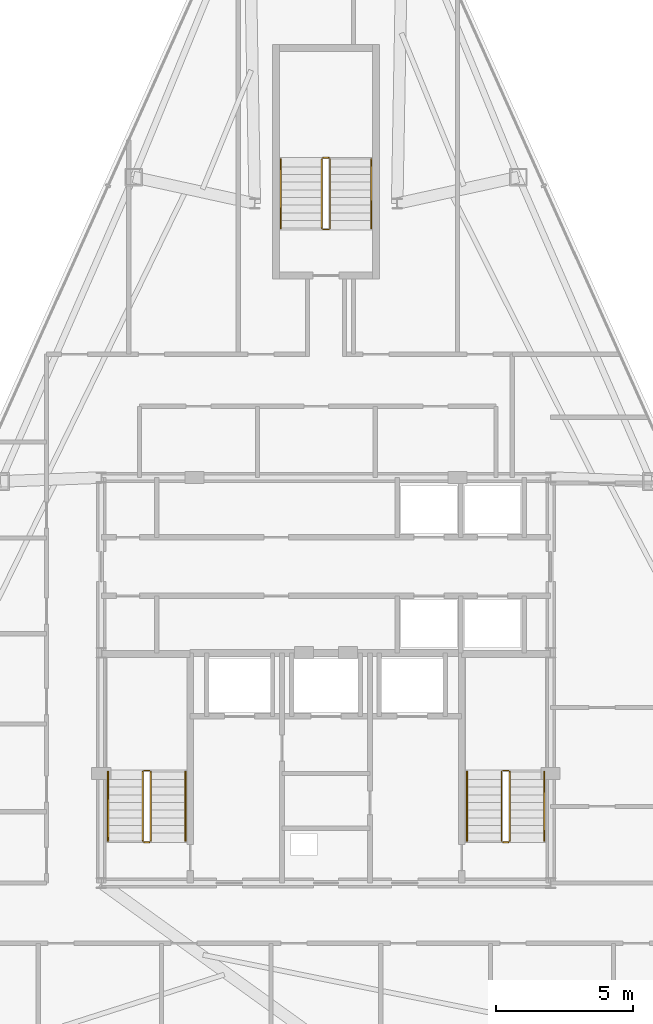
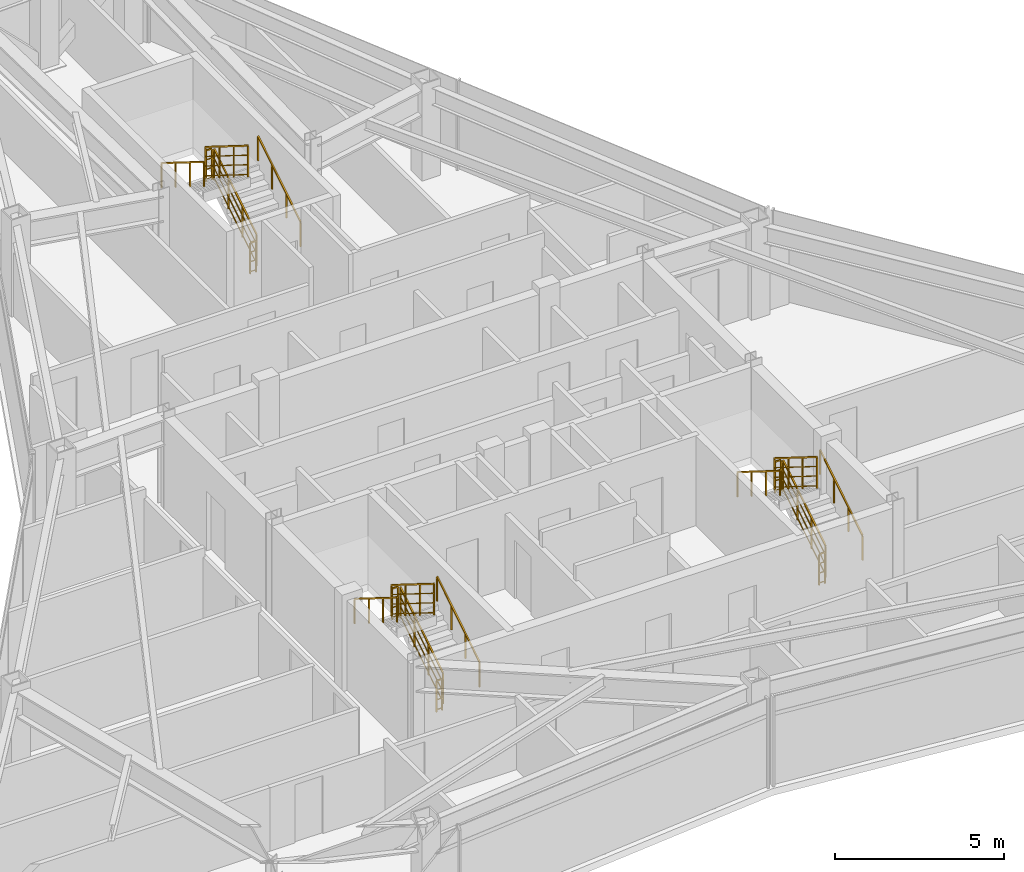
# One storey, part 12 of 12: 18 railings.
"""IFC4 building model written with IfcOpenShell, lengths in metres."""

from ifc_helpers import new_model, si_unit, direction, frame, origin, origin_2d, place, context, subcontext, project, spatial, rectangle, extrude, material, type_object, element, save


model = new_model("IFC4")

# Units and contexts
model_context = context("Model", 3, precision=1e-05, world=origin(), true_north=direction((0.0, 1.0)))
body_context = subcontext(model_context, "Body", "Model", "MODEL_VIEW")
ifc_project = project(units=[si_unit("LENGTHUNIT", "METRE"), si_unit("AREAUNIT", "SQUARE_METRE"), si_unit("VOLUMEUNIT", "CUBIC_METRE"), si_unit("PLANEANGLEUNIT", "RADIAN"), si_unit("MASSUNIT", "GRAM", prefix="KILO")], contexts=[model_context])

# Site, building, storey
site_placement = place(None, origin())
site = spatial("IfcSite", under=ifc_project, at=site_placement, CompositionType="ELEMENT")
building_placement = place(site_placement, origin())
building = spatial("IfcBuilding", under=site, at=building_placement, Name="Varakhsha Concourse Tower", CompositionType="ELEMENT")
storey_placement = place(building_placement, frame((0.0, 0.0, 258.5)))
storey = spatial("IfcBuildingStorey", under=building, at=storey_placement, Name="L73", CompositionType="ELEMENT", Elevation=258.5)

# Railings
ifc_material = material(Name="Brushed Austenitic Stainless Steel AISI 316", Category="steel")
railing_type_1 = type_object("IfcRailingType", Name="RL-STAIR-GUARD-1100", PredefinedType="GUARDRAIL", material=ifc_material)
railing_1_placement = place(storey_placement, frame((33.610107421875, 17.93994140625, 0.175048828125)))
element("IfcRailing", 1, at=railing_1_placement, inside=storey, type_object=railing_type_1, Name="L73 ST1 stair guard 1", PredefinedType="GUARDRAIL", context=body_context, shape_type="SweptSolid", body=[
    extrude(rectangle(XDim=0.048095703125, YDim=0.048095703125, at=origin_2d()), frame((0.0, 0.0, 1.1259765625), z_axis=(0.0, 0.848007534815, 0.529984170421), x_axis=(-1.0, 0.0, 0.0)), (0.0, 0.0, 1.0), 2.9716796875),
    extrude(rectangle(XDim=0.028076171875, YDim=0.028076171875, at=origin_2d()), frame((0.0, 0.0, 0.080078125), z_axis=(0.0, 0.848007534815, 0.529984170421), x_axis=(-1.0, 0.0, 0.0)), (0.0, 0.0, 1.0), 2.9716796875),
    extrude(rectangle(XDim=0.028076171875, YDim=0.028076171875, at=origin_2d()), frame((0.0, 0.0, 0.43701171875), z_axis=(0.0, 0.848007534815, 0.529984170421), x_axis=(-1.0, 0.0, 0.0)), (0.0, 0.0, 1.0), 2.9716796875),
    extrude(rectangle(XDim=0.028076171875, YDim=0.028076171875, at=origin_2d()), frame((0.0, 0.0, 0.781982421875), z_axis=(0.0, 0.848007534815, 0.529984170421), x_axis=(-1.0, 0.0, 0.0)), (0.0, 0.0, 1.0), 2.9716796875),
    extrude(rectangle(XDim=0.0419921875, YDim=0.0419921875, at=origin_2d()), origin(), (0.0, 0.0, 1.0), 1.101806640625),
    extrude(rectangle(XDim=0.0419921875, YDim=0.0419921875, at=origin_2d()), frame((0.0, 0.840087890625, 0.52490234375)), (0.0, 0.0, 1.0), 1.101806640625),
    extrude(rectangle(XDim=0.0419921875, YDim=0.0419921875, at=origin_2d()), frame((0.0, 1.679931640625, 1.050048828125)), (0.0, 0.0, 1.0), 1.101806640625),
    extrude(rectangle(XDim=0.0419921875, YDim=0.0419921875, at=origin_2d()), frame((0.0, 2.52001953125, 1.574951171875)), (0.0, 0.0, 1.0), 1.101806640625),
])
railing_2_placement = place(storey_placement, frame((33.56005859375, 20.510009765625, 1.75)))
element("IfcRailing", 2, at=railing_2_placement, inside=storey, type_object=railing_type_1, Name="L73 ST1 stair guard 2", PredefinedType="GUARDRAIL", context=body_context, shape_type="SweptSolid", body=[
    extrude(rectangle(XDim=0.048095703125, YDim=0.048095703125, at=origin_2d()), frame((0.0, 0.0, 1.1259765625), z_axis=(-1.0, 0.0, 0.0), x_axis=(0.0, -1.0, 0.0)), (0.0, 0.0, 1.0), 0.199951171875),
    extrude(rectangle(XDim=0.028076171875, YDim=0.028076171875, at=origin_2d()), frame((0.0, 0.0, 0.080078125), z_axis=(-1.0, 0.0, 0.0), x_axis=(0.0, -1.0, 0.0)), (0.0, 0.0, 1.0), 0.199951171875),
    extrude(rectangle(XDim=0.028076171875, YDim=0.028076171875, at=origin_2d()), frame((0.0, 0.0, 0.43701171875), z_axis=(-1.0, 0.0, 0.0), x_axis=(0.0, -1.0, 0.0)), (0.0, 0.0, 1.0), 0.199951171875),
    extrude(rectangle(XDim=0.028076171875, YDim=0.028076171875, at=origin_2d()), frame((0.0, 0.0, 0.781982421875), z_axis=(-1.0, 0.0, 0.0), x_axis=(0.0, -1.0, 0.0)), (0.0, 0.0, 1.0), 0.199951171875),
    extrude(rectangle(XDim=0.0419921875, YDim=0.0419921875, at=origin_2d()), origin(), (0.0, 0.0, 1.0), 1.101806640625),
    extrude(rectangle(XDim=0.0419921875, YDim=0.0419921875, at=origin_2d()), frame((-0.199951171875, 0.0, 0.0)), (0.0, 0.0, 1.0), 1.101806640625),
])
railing_3_placement = place(storey_placement, frame((33.31005859375, 20.4599609375, 1.925048828125)))
element("IfcRailing", 3, at=railing_3_placement, inside=storey, type_object=railing_type_1, Name="L73 ST1 stair guard 3", PredefinedType="GUARDRAIL", context=body_context, shape_type="SweptSolid", body=[
    extrude(rectangle(XDim=0.048095703125, YDim=0.048095703125, at=origin_2d()), frame((0.0, 0.0, 1.1259765625), z_axis=(0.0, -0.848007534815, 0.529984170421), x_axis=(1.0, 0.0, 0.0)), (0.0, 0.0, 1.0), 2.9716796875),
    extrude(rectangle(XDim=0.028076171875, YDim=0.028076171875, at=origin_2d()), frame((0.0, 0.0, 0.080078125), z_axis=(0.0, -0.848007534815, 0.529984170421), x_axis=(1.0, 0.0, 0.0)), (0.0, 0.0, 1.0), 2.9716796875),
    extrude(rectangle(XDim=0.028076171875, YDim=0.028076171875, at=origin_2d()), frame((0.0, 0.0, 0.43701171875), z_axis=(0.0, -0.848007534815, 0.529984170421), x_axis=(1.0, 0.0, 0.0)), (0.0, 0.0, 1.0), 2.9716796875),
    extrude(rectangle(XDim=0.028076171875, YDim=0.028076171875, at=origin_2d()), frame((0.0, 0.0, 0.781982421875), z_axis=(0.0, -0.848007534815, 0.529984170421), x_axis=(1.0, 0.0, 0.0)), (0.0, 0.0, 1.0), 2.9716796875),
    extrude(rectangle(XDim=0.0419921875, YDim=0.0419921875, at=origin_2d()), origin(), (0.0, 0.0, 1.0), 1.101806640625),
    extrude(rectangle(XDim=0.0419921875, YDim=0.0419921875, at=origin_2d()), frame((0.0, -0.840087890625, 0.52490234375)), (0.0, 0.0, 1.0), 1.101806640625),
    extrude(rectangle(XDim=0.0419921875, YDim=0.0419921875, at=origin_2d()), frame((0.0, -1.679931640625, 1.050048828125)), (0.0, 0.0, 1.0), 1.101806640625),
    extrude(rectangle(XDim=0.0419921875, YDim=0.0419921875, at=origin_2d()), frame((0.0, -2.52001953125, 1.574951171875)), (0.0, 0.0, 1.0), 1.101806640625),
])
railing_4_placement = place(storey_placement, frame((33.56005859375, 17.889892578125, 0.0)))
element("IfcRailing", 4, at=railing_4_placement, inside=storey, type_object=railing_type_1, Name="L73 ST1 stair guard 4", PredefinedType="GUARDRAIL", context=body_context, shape_type="SweptSolid", body=[
    extrude(rectangle(XDim=0.048095703125, YDim=0.048095703125, at=origin_2d()), frame((0.0, 0.0, 1.1259765625), z_axis=(-1.0, 0.0, 0.0), x_axis=(0.0, -1.0, 0.0)), (0.0, 0.0, 1.0), 0.199951171875),
    extrude(rectangle(XDim=0.028076171875, YDim=0.028076171875, at=origin_2d()), frame((0.0, 0.0, 0.080078125), z_axis=(-1.0, 0.0, 0.0), x_axis=(0.0, -1.0, 0.0)), (0.0, 0.0, 1.0), 0.199951171875),
    extrude(rectangle(XDim=0.028076171875, YDim=0.028076171875, at=origin_2d()), frame((0.0, 0.0, 0.43701171875), z_axis=(-1.0, 0.0, 0.0), x_axis=(0.0, -1.0, 0.0)), (0.0, 0.0, 1.0), 0.199951171875),
    extrude(rectangle(XDim=0.028076171875, YDim=0.028076171875, at=origin_2d()), frame((0.0, 0.0, 0.781982421875), z_axis=(-1.0, 0.0, 0.0), x_axis=(0.0, -1.0, 0.0)), (0.0, 0.0, 1.0), 0.199951171875),
    extrude(rectangle(XDim=0.0419921875, YDim=0.0419921875, at=origin_2d()), origin(), (0.0, 0.0, 1.0), 1.101806640625),
    extrude(rectangle(XDim=0.0419921875, YDim=0.0419921875, at=origin_2d()), frame((-0.199951171875, 0.0, 0.0)), (0.0, 0.0, 1.0), 1.101806640625),
])
railing_5_placement = place(storey_placement, frame((46.7099609375, 17.93994140625, 0.175048828125)))
element("IfcRailing", 5, at=railing_5_placement, inside=storey, type_object=railing_type_1, Name="L73 ST2 stair guard 1", PredefinedType="GUARDRAIL", context=body_context, shape_type="SweptSolid", body=[
    extrude(rectangle(XDim=0.048095703125, YDim=0.048095703125, at=origin_2d()), frame((0.0, 0.0, 1.1259765625), z_axis=(0.0, 0.848007534815, 0.529984170421), x_axis=(-1.0, 0.0, 0.0)), (0.0, 0.0, 1.0), 2.9716796875),
    extrude(rectangle(XDim=0.028076171875, YDim=0.028076171875, at=origin_2d()), frame((0.0, 0.0, 0.080078125), z_axis=(0.0, 0.848007534815, 0.529984170421), x_axis=(-1.0, 0.0, 0.0)), (0.0, 0.0, 1.0), 2.9716796875),
    extrude(rectangle(XDim=0.028076171875, YDim=0.028076171875, at=origin_2d()), frame((0.0, 0.0, 0.43701171875), z_axis=(0.0, 0.848007534815, 0.529984170421), x_axis=(-1.0, 0.0, 0.0)), (0.0, 0.0, 1.0), 2.9716796875),
    extrude(rectangle(XDim=0.028076171875, YDim=0.028076171875, at=origin_2d()), frame((0.0, 0.0, 0.781982421875), z_axis=(0.0, 0.848007534815, 0.529984170421), x_axis=(-1.0, 0.0, 0.0)), (0.0, 0.0, 1.0), 2.9716796875),
    extrude(rectangle(XDim=0.0419921875, YDim=0.0419921875, at=origin_2d()), origin(), (0.0, 0.0, 1.0), 1.101806640625),
    extrude(rectangle(XDim=0.0419921875, YDim=0.0419921875, at=origin_2d()), frame((0.0, 0.840087890625, 0.52490234375)), (0.0, 0.0, 1.0), 1.101806640625),
    extrude(rectangle(XDim=0.0419921875, YDim=0.0419921875, at=origin_2d()), frame((0.0, 1.679931640625, 1.050048828125)), (0.0, 0.0, 1.0), 1.101806640625),
    extrude(rectangle(XDim=0.0419921875, YDim=0.0419921875, at=origin_2d()), frame((0.0, 2.52001953125, 1.574951171875)), (0.0, 0.0, 1.0), 1.101806640625),
])
railing_6_placement = place(storey_placement, frame((46.659912109375, 20.510009765625, 1.75)))
element("IfcRailing", 6, at=railing_6_placement, inside=storey, type_object=railing_type_1, Name="L73 ST2 stair guard 2", PredefinedType="GUARDRAIL", context=body_context, shape_type="SweptSolid", body=[
    extrude(rectangle(XDim=0.048095703125, YDim=0.048095703125, at=origin_2d()), frame((0.0, 0.0, 1.1259765625), z_axis=(-1.0, 0.0, 0.0), x_axis=(0.0, -1.0, 0.0)), (0.0, 0.0, 1.0), 0.199951171875),
    extrude(rectangle(XDim=0.028076171875, YDim=0.028076171875, at=origin_2d()), frame((0.0, 0.0, 0.080078125), z_axis=(-1.0, 0.0, 0.0), x_axis=(0.0, -1.0, 0.0)), (0.0, 0.0, 1.0), 0.199951171875),
    extrude(rectangle(XDim=0.028076171875, YDim=0.028076171875, at=origin_2d()), frame((0.0, 0.0, 0.43701171875), z_axis=(-1.0, 0.0, 0.0), x_axis=(0.0, -1.0, 0.0)), (0.0, 0.0, 1.0), 0.199951171875),
    extrude(rectangle(XDim=0.028076171875, YDim=0.028076171875, at=origin_2d()), frame((0.0, 0.0, 0.781982421875), z_axis=(-1.0, 0.0, 0.0), x_axis=(0.0, -1.0, 0.0)), (0.0, 0.0, 1.0), 0.199951171875),
    extrude(rectangle(XDim=0.0419921875, YDim=0.0419921875, at=origin_2d()), origin(), (0.0, 0.0, 1.0), 1.101806640625),
    extrude(rectangle(XDim=0.0419921875, YDim=0.0419921875, at=origin_2d()), frame((-0.199951171875, 0.0, 0.0)), (0.0, 0.0, 1.0), 1.101806640625),
])
railing_7_placement = place(storey_placement, frame((46.409912109375, 20.4599609375, 1.925048828125)))
element("IfcRailing", 7, at=railing_7_placement, inside=storey, type_object=railing_type_1, Name="L73 ST2 stair guard 3", PredefinedType="GUARDRAIL", context=body_context, shape_type="SweptSolid", body=[
    extrude(rectangle(XDim=0.048095703125, YDim=0.048095703125, at=origin_2d()), frame((0.0, 0.0, 1.1259765625), z_axis=(0.0, -0.848007534815, 0.529984170421), x_axis=(1.0, 0.0, 0.0)), (0.0, 0.0, 1.0), 2.9716796875),
    extrude(rectangle(XDim=0.028076171875, YDim=0.028076171875, at=origin_2d()), frame((0.0, 0.0, 0.080078125), z_axis=(0.0, -0.848007534815, 0.529984170421), x_axis=(1.0, 0.0, 0.0)), (0.0, 0.0, 1.0), 2.9716796875),
    extrude(rectangle(XDim=0.028076171875, YDim=0.028076171875, at=origin_2d()), frame((0.0, 0.0, 0.43701171875), z_axis=(0.0, -0.848007534815, 0.529984170421), x_axis=(1.0, 0.0, 0.0)), (0.0, 0.0, 1.0), 2.9716796875),
    extrude(rectangle(XDim=0.028076171875, YDim=0.028076171875, at=origin_2d()), frame((0.0, 0.0, 0.781982421875), z_axis=(0.0, -0.848007534815, 0.529984170421), x_axis=(1.0, 0.0, 0.0)), (0.0, 0.0, 1.0), 2.9716796875),
    extrude(rectangle(XDim=0.0419921875, YDim=0.0419921875, at=origin_2d()), origin(), (0.0, 0.0, 1.0), 1.101806640625),
    extrude(rectangle(XDim=0.0419921875, YDim=0.0419921875, at=origin_2d()), frame((0.0, -0.840087890625, 0.52490234375)), (0.0, 0.0, 1.0), 1.101806640625),
    extrude(rectangle(XDim=0.0419921875, YDim=0.0419921875, at=origin_2d()), frame((0.0, -1.679931640625, 1.050048828125)), (0.0, 0.0, 1.0), 1.101806640625),
    extrude(rectangle(XDim=0.0419921875, YDim=0.0419921875, at=origin_2d()), frame((0.0, -2.52001953125, 1.574951171875)), (0.0, 0.0, 1.0), 1.101806640625),
])
railing_8_placement = place(storey_placement, frame((46.659912109375, 17.889892578125, 0.0)))
element("IfcRailing", 8, at=railing_8_placement, inside=storey, type_object=railing_type_1, Name="L73 ST2 stair guard 4", PredefinedType="GUARDRAIL", context=body_context, shape_type="SweptSolid", body=[
    extrude(rectangle(XDim=0.048095703125, YDim=0.048095703125, at=origin_2d()), frame((0.0, 0.0, 1.1259765625), z_axis=(-1.0, 0.0, 0.0), x_axis=(0.0, -1.0, 0.0)), (0.0, 0.0, 1.0), 0.199951171875),
    extrude(rectangle(XDim=0.028076171875, YDim=0.028076171875, at=origin_2d()), frame((0.0, 0.0, 0.080078125), z_axis=(-1.0, 0.0, 0.0), x_axis=(0.0, -1.0, 0.0)), (0.0, 0.0, 1.0), 0.199951171875),
    extrude(rectangle(XDim=0.028076171875, YDim=0.028076171875, at=origin_2d()), frame((0.0, 0.0, 0.43701171875), z_axis=(-1.0, 0.0, 0.0), x_axis=(0.0, -1.0, 0.0)), (0.0, 0.0, 1.0), 0.199951171875),
    extrude(rectangle(XDim=0.028076171875, YDim=0.028076171875, at=origin_2d()), frame((0.0, 0.0, 0.781982421875), z_axis=(-1.0, 0.0, 0.0), x_axis=(0.0, -1.0, 0.0)), (0.0, 0.0, 1.0), 0.199951171875),
    extrude(rectangle(XDim=0.0419921875, YDim=0.0419921875, at=origin_2d()), origin(), (0.0, 0.0, 1.0), 1.101806640625),
    extrude(rectangle(XDim=0.0419921875, YDim=0.0419921875, at=origin_2d()), frame((-0.199951171875, 0.0, 0.0)), (0.0, 0.0, 1.0), 1.101806640625),
])
railing_9_placement = place(storey_placement, frame((40.14990234375, 40.300048828125, 0.175048828125)))
element("IfcRailing", 9, at=railing_9_placement, inside=storey, type_object=railing_type_1, Name="L73 ST5 stair guard 1", PredefinedType="GUARDRAIL", context=body_context, shape_type="SweptSolid", body=[
    extrude(rectangle(XDim=0.048095703125, YDim=0.048095703125, at=origin_2d()), frame((0.0, 0.0, 1.1259765625), z_axis=(0.0, 0.848007534815, 0.529984170421), x_axis=(-1.0, 0.0, 0.0)), (0.0, 0.0, 1.0), 2.9716796875),
    extrude(rectangle(XDim=0.028076171875, YDim=0.028076171875, at=origin_2d()), frame((0.0, 0.0, 0.080078125), z_axis=(0.0, 0.848007534815, 0.529984170421), x_axis=(-1.0, 0.0, 0.0)), (0.0, 0.0, 1.0), 2.9716796875),
    extrude(rectangle(XDim=0.028076171875, YDim=0.028076171875, at=origin_2d()), frame((0.0, 0.0, 0.43701171875), z_axis=(0.0, 0.848007534815, 0.529984170421), x_axis=(-1.0, 0.0, 0.0)), (0.0, 0.0, 1.0), 2.9716796875),
    extrude(rectangle(XDim=0.028076171875, YDim=0.028076171875, at=origin_2d()), frame((0.0, 0.0, 0.781982421875), z_axis=(0.0, 0.848007534815, 0.529984170421), x_axis=(-1.0, 0.0, 0.0)), (0.0, 0.0, 1.0), 2.9716796875),
    extrude(rectangle(XDim=0.0419921875, YDim=0.0419921875, at=origin_2d()), origin(), (0.0, 0.0, 1.0), 1.101806640625),
    extrude(rectangle(XDim=0.0419921875, YDim=0.0419921875, at=origin_2d()), frame((0.0, 0.840087890625, 0.52490234375)), (0.0, 0.0, 1.0), 1.101806640625),
    extrude(rectangle(XDim=0.0419921875, YDim=0.0419921875, at=origin_2d()), frame((0.0, 1.679931640625, 1.050048828125)), (0.0, 0.0, 1.0), 1.101806640625),
    extrude(rectangle(XDim=0.0419921875, YDim=0.0419921875, at=origin_2d()), frame((0.0, 2.52001953125, 1.574951171875)), (0.0, 0.0, 1.0), 1.101806640625),
])
railing_10_placement = place(storey_placement, frame((40.10009765625, 42.8701171875, 1.75)))
element("IfcRailing", 10, at=railing_10_placement, inside=storey, type_object=railing_type_1, Name="L73 ST5 stair guard 2", PredefinedType="GUARDRAIL", context=body_context, shape_type="SweptSolid", body=[
    extrude(rectangle(XDim=0.048095703125, YDim=0.048095703125, at=origin_2d()), frame((0.0, 0.0, 1.1259765625), z_axis=(-1.0, 0.0, 0.0), x_axis=(0.0, -1.0, 0.0)), (0.0, 0.0, 1.0), 0.2001953125),
    extrude(rectangle(XDim=0.028076171875, YDim=0.028076171875, at=origin_2d()), frame((0.0, 0.0, 0.080078125), z_axis=(-1.0, 0.0, 0.0), x_axis=(0.0, -1.0, 0.0)), (0.0, 0.0, 1.0), 0.2001953125),
    extrude(rectangle(XDim=0.028076171875, YDim=0.028076171875, at=origin_2d()), frame((0.0, 0.0, 0.43701171875), z_axis=(-1.0, 0.0, 0.0), x_axis=(0.0, -1.0, 0.0)), (0.0, 0.0, 1.0), 0.2001953125),
    extrude(rectangle(XDim=0.028076171875, YDim=0.028076171875, at=origin_2d()), frame((0.0, 0.0, 0.781982421875), z_axis=(-1.0, 0.0, 0.0), x_axis=(0.0, -1.0, 0.0)), (0.0, 0.0, 1.0), 0.2001953125),
    extrude(rectangle(XDim=0.0419921875, YDim=0.0419921875, at=origin_2d()), origin(), (0.0, 0.0, 1.0), 1.101806640625),
    extrude(rectangle(XDim=0.0419921875, YDim=0.0419921875, at=origin_2d()), frame((-0.2001953125, 0.0, 0.0)), (0.0, 0.0, 1.0), 1.101806640625),
])
railing_11_placement = place(storey_placement, frame((39.85009765625, 42.820068359375, 1.925048828125)))
element("IfcRailing", 11, at=railing_11_placement, inside=storey, type_object=railing_type_1, Name="L73 ST5 stair guard 3", PredefinedType="GUARDRAIL", context=body_context, shape_type="SweptSolid", body=[
    extrude(rectangle(XDim=0.048095703125, YDim=0.048095703125, at=origin_2d()), frame((0.0, 0.0, 1.1259765625), z_axis=(0.0, -0.848007534815, 0.529984170421), x_axis=(1.0, 0.0, 0.0)), (0.0, 0.0, 1.0), 2.9716796875),
    extrude(rectangle(XDim=0.028076171875, YDim=0.028076171875, at=origin_2d()), frame((0.0, 0.0, 0.080078125), z_axis=(0.0, -0.848007534815, 0.529984170421), x_axis=(1.0, 0.0, 0.0)), (0.0, 0.0, 1.0), 2.9716796875),
    extrude(rectangle(XDim=0.028076171875, YDim=0.028076171875, at=origin_2d()), frame((0.0, 0.0, 0.43701171875), z_axis=(0.0, -0.848007534815, 0.529984170421), x_axis=(1.0, 0.0, 0.0)), (0.0, 0.0, 1.0), 2.9716796875),
    extrude(rectangle(XDim=0.028076171875, YDim=0.028076171875, at=origin_2d()), frame((0.0, 0.0, 0.781982421875), z_axis=(0.0, -0.848007534815, 0.529984170421), x_axis=(1.0, 0.0, 0.0)), (0.0, 0.0, 1.0), 2.9716796875),
    extrude(rectangle(XDim=0.0419921875, YDim=0.0419921875, at=origin_2d()), origin(), (0.0, 0.0, 1.0), 1.101806640625),
    extrude(rectangle(XDim=0.0419921875, YDim=0.0419921875, at=origin_2d()), frame((0.0, -0.840087890625, 0.52490234375)), (0.0, 0.0, 1.0), 1.101806640625),
    extrude(rectangle(XDim=0.0419921875, YDim=0.0419921875, at=origin_2d()), frame((0.0, -1.679931640625, 1.050048828125)), (0.0, 0.0, 1.0), 1.101806640625),
    extrude(rectangle(XDim=0.0419921875, YDim=0.0419921875, at=origin_2d()), frame((0.0, -2.52001953125, 1.574951171875)), (0.0, 0.0, 1.0), 1.101806640625),
])
railing_12_placement = place(storey_placement, frame((40.10009765625, 40.25, 0.0)))
element("IfcRailing", 12, at=railing_12_placement, inside=storey, type_object=railing_type_1, Name="L73 ST5 stair guard 4", PredefinedType="GUARDRAIL", context=body_context, shape_type="SweptSolid", body=[
    extrude(rectangle(XDim=0.048095703125, YDim=0.048095703125, at=origin_2d()), frame((0.0, 0.0, 1.1259765625), z_axis=(-1.0, 0.0, 0.0), x_axis=(0.0, -1.0, 0.0)), (0.0, 0.0, 1.0), 0.2001953125),
    extrude(rectangle(XDim=0.028076171875, YDim=0.028076171875, at=origin_2d()), frame((0.0, 0.0, 0.080078125), z_axis=(-1.0, 0.0, 0.0), x_axis=(0.0, -1.0, 0.0)), (0.0, 0.0, 1.0), 0.2001953125),
    extrude(rectangle(XDim=0.028076171875, YDim=0.028076171875, at=origin_2d()), frame((0.0, 0.0, 0.43701171875), z_axis=(-1.0, 0.0, 0.0), x_axis=(0.0, -1.0, 0.0)), (0.0, 0.0, 1.0), 0.2001953125),
    extrude(rectangle(XDim=0.028076171875, YDim=0.028076171875, at=origin_2d()), frame((0.0, 0.0, 0.781982421875), z_axis=(-1.0, 0.0, 0.0), x_axis=(0.0, -1.0, 0.0)), (0.0, 0.0, 1.0), 0.2001953125),
    extrude(rectangle(XDim=0.0419921875, YDim=0.0419921875, at=origin_2d()), origin(), (0.0, 0.0, 1.0), 1.101806640625),
    extrude(rectangle(XDim=0.0419921875, YDim=0.0419921875, at=origin_2d()), frame((-0.2001953125, 0.0, 0.0)), (0.0, 0.0, 1.0), 1.101806640625),
])
railing_type_2 = type_object("IfcRailingType", Name="RL-STAIR-RAIL-915", PredefinedType="HANDRAIL", material=ifc_material)
railing_13_placement = place(storey_placement, frame((34.8701171875, 17.93994140625, 0.35009765625)))
element("IfcRailing", 13, at=railing_13_placement, inside=storey, type_object=railing_type_2, Name="L73 ST1 stair handrail 1", PredefinedType="HANDRAIL", context=body_context, shape_type="SweptSolid", body=[
    extrude(rectangle(XDim=0.048095703125, YDim=0.048095703125, at=origin_2d()), frame((0.0, 0.0, 0.89111328125), z_axis=(0.0, 0.848007534815, 0.529984170421), x_axis=(-1.0, 0.0, 0.0)), (0.0, 0.0, 1.0), 2.9716796875),
    extrude(rectangle(XDim=0.0419921875, YDim=0.0419921875, at=origin_2d()), origin(), (0.0, 0.0, 1.0), 0.866943359375),
    extrude(rectangle(XDim=0.0419921875, YDim=0.0419921875, at=origin_2d()), frame((0.0, 0.840087890625, 0.52490234375)), (0.0, 0.0, 1.0), 0.866943359375),
    extrude(rectangle(XDim=0.0419921875, YDim=0.0419921875, at=origin_2d()), frame((0.0, 1.679931640625, 1.050048828125)), (0.0, 0.0, 1.0), 0.866943359375),
    extrude(rectangle(XDim=0.0419921875, YDim=0.0419921875, at=origin_2d()), frame((0.0, 2.52001953125, 1.574951171875)), (0.0, 0.0, 1.0), 0.866943359375),
])
railing_14_placement = place(storey_placement, frame((32.050048828125, 20.4599609375, 2.10009765625)))
element("IfcRailing", 14, at=railing_14_placement, inside=storey, type_object=railing_type_2, Name="L73 ST1 stair handrail 2", PredefinedType="HANDRAIL", context=body_context, shape_type="SweptSolid", body=[
    extrude(rectangle(XDim=0.048095703125, YDim=0.048095703125, at=origin_2d()), frame((0.0, 0.0, 0.89111328125), z_axis=(0.0, -0.848007534815, 0.529984170421), x_axis=(1.0, 0.0, 0.0)), (0.0, 0.0, 1.0), 2.9716796875),
    extrude(rectangle(XDim=0.0419921875, YDim=0.0419921875, at=origin_2d()), origin(), (0.0, 0.0, 1.0), 0.866943359375),
    extrude(rectangle(XDim=0.0419921875, YDim=0.0419921875, at=origin_2d()), frame((0.0, -0.840087890625, 0.52490234375)), (0.0, 0.0, 1.0), 0.866943359375),
    extrude(rectangle(XDim=0.0419921875, YDim=0.0419921875, at=origin_2d()), frame((0.0, -1.679931640625, 1.050048828125)), (0.0, 0.0, 1.0), 0.866943359375),
    extrude(rectangle(XDim=0.0419921875, YDim=0.0419921875, at=origin_2d()), frame((0.0, -2.52001953125, 1.574951171875)), (0.0, 0.0, 1.0), 0.866943359375),
])
railing_15_placement = place(storey_placement, frame((47.969970703125, 17.93994140625, 0.35009765625)))
element("IfcRailing", 15, at=railing_15_placement, inside=storey, type_object=railing_type_2, Name="L73 ST2 stair handrail 1", PredefinedType="HANDRAIL", context=body_context, shape_type="SweptSolid", body=[
    extrude(rectangle(XDim=0.048095703125, YDim=0.048095703125, at=origin_2d()), frame((0.0, 0.0, 0.89111328125), z_axis=(0.0, 0.848007534815, 0.529984170421), x_axis=(-1.0, 0.0, 0.0)), (0.0, 0.0, 1.0), 2.9716796875),
    extrude(rectangle(XDim=0.0419921875, YDim=0.0419921875, at=origin_2d()), origin(), (0.0, 0.0, 1.0), 0.866943359375),
    extrude(rectangle(XDim=0.0419921875, YDim=0.0419921875, at=origin_2d()), frame((0.0, 0.840087890625, 0.52490234375)), (0.0, 0.0, 1.0), 0.866943359375),
    extrude(rectangle(XDim=0.0419921875, YDim=0.0419921875, at=origin_2d()), frame((0.0, 1.679931640625, 1.050048828125)), (0.0, 0.0, 1.0), 0.866943359375),
    extrude(rectangle(XDim=0.0419921875, YDim=0.0419921875, at=origin_2d()), frame((0.0, 2.52001953125, 1.574951171875)), (0.0, 0.0, 1.0), 0.866943359375),
])
railing_16_placement = place(storey_placement, frame((45.14990234375, 20.4599609375, 2.10009765625)))
element("IfcRailing", 16, at=railing_16_placement, inside=storey, type_object=railing_type_2, Name="L73 ST2 stair handrail 2", PredefinedType="HANDRAIL", context=body_context, shape_type="SweptSolid", body=[
    extrude(rectangle(XDim=0.048095703125, YDim=0.048095703125, at=origin_2d()), frame((0.0, 0.0, 0.89111328125), z_axis=(0.0, -0.848007534815, 0.529984170421), x_axis=(1.0, 0.0, 0.0)), (0.0, 0.0, 1.0), 2.9716796875),
    extrude(rectangle(XDim=0.0419921875, YDim=0.0419921875, at=origin_2d()), origin(), (0.0, 0.0, 1.0), 0.866943359375),
    extrude(rectangle(XDim=0.0419921875, YDim=0.0419921875, at=origin_2d()), frame((0.0, -0.840087890625, 0.52490234375)), (0.0, 0.0, 1.0), 0.866943359375),
    extrude(rectangle(XDim=0.0419921875, YDim=0.0419921875, at=origin_2d()), frame((0.0, -1.679931640625, 1.050048828125)), (0.0, 0.0, 1.0), 0.866943359375),
    extrude(rectangle(XDim=0.0419921875, YDim=0.0419921875, at=origin_2d()), frame((0.0, -2.52001953125, 1.574951171875)), (0.0, 0.0, 1.0), 0.866943359375),
])
railing_17_placement = place(storey_placement, frame((41.64990234375, 40.300048828125, 0.35009765625)))
element("IfcRailing", 17, at=railing_17_placement, inside=storey, type_object=railing_type_2, Name="L73 ST5 stair handrail 1", PredefinedType="HANDRAIL", context=body_context, shape_type="SweptSolid", body=[
    extrude(rectangle(XDim=0.048095703125, YDim=0.048095703125, at=origin_2d()), frame((0.0, 0.0, 0.89111328125), z_axis=(0.0, 0.848007534815, 0.529984170421), x_axis=(-1.0, 0.0, 0.0)), (0.0, 0.0, 1.0), 2.9716796875),
    extrude(rectangle(XDim=0.0419921875, YDim=0.0419921875, at=origin_2d()), origin(), (0.0, 0.0, 1.0), 0.866943359375),
    extrude(rectangle(XDim=0.0419921875, YDim=0.0419921875, at=origin_2d()), frame((0.0, 0.840087890625, 0.52490234375)), (0.0, 0.0, 1.0), 0.866943359375),
    extrude(rectangle(XDim=0.0419921875, YDim=0.0419921875, at=origin_2d()), frame((0.0, 1.679931640625, 1.050048828125)), (0.0, 0.0, 1.0), 0.866943359375),
    extrude(rectangle(XDim=0.0419921875, YDim=0.0419921875, at=origin_2d()), frame((0.0, 2.52001953125, 1.574951171875)), (0.0, 0.0, 1.0), 0.866943359375),
])
railing_18_placement = place(storey_placement, frame((38.35009765625, 42.820068359375, 2.10009765625)))
element("IfcRailing", 18, at=railing_18_placement, inside=storey, type_object=railing_type_2, Name="L73 ST5 stair handrail 2", PredefinedType="HANDRAIL", context=body_context, shape_type="SweptSolid", body=[
    extrude(rectangle(XDim=0.048095703125, YDim=0.048095703125, at=origin_2d()), frame((0.0, 0.0, 0.89111328125), z_axis=(0.0, -0.848007534815, 0.529984170421), x_axis=(1.0, 0.0, 0.0)), (0.0, 0.0, 1.0), 2.9716796875),
    extrude(rectangle(XDim=0.0419921875, YDim=0.0419921875, at=origin_2d()), origin(), (0.0, 0.0, 1.0), 0.866943359375),
    extrude(rectangle(XDim=0.0419921875, YDim=0.0419921875, at=origin_2d()), frame((0.0, -0.840087890625, 0.52490234375)), (0.0, 0.0, 1.0), 0.866943359375),
    extrude(rectangle(XDim=0.0419921875, YDim=0.0419921875, at=origin_2d()), frame((0.0, -1.679931640625, 1.050048828125)), (0.0, 0.0, 1.0), 0.866943359375),
    extrude(rectangle(XDim=0.0419921875, YDim=0.0419921875, at=origin_2d()), frame((0.0, -2.52001953125, 1.574951171875)), (0.0, 0.0, 1.0), 0.866943359375),
])

save(model, "model.ifc")
